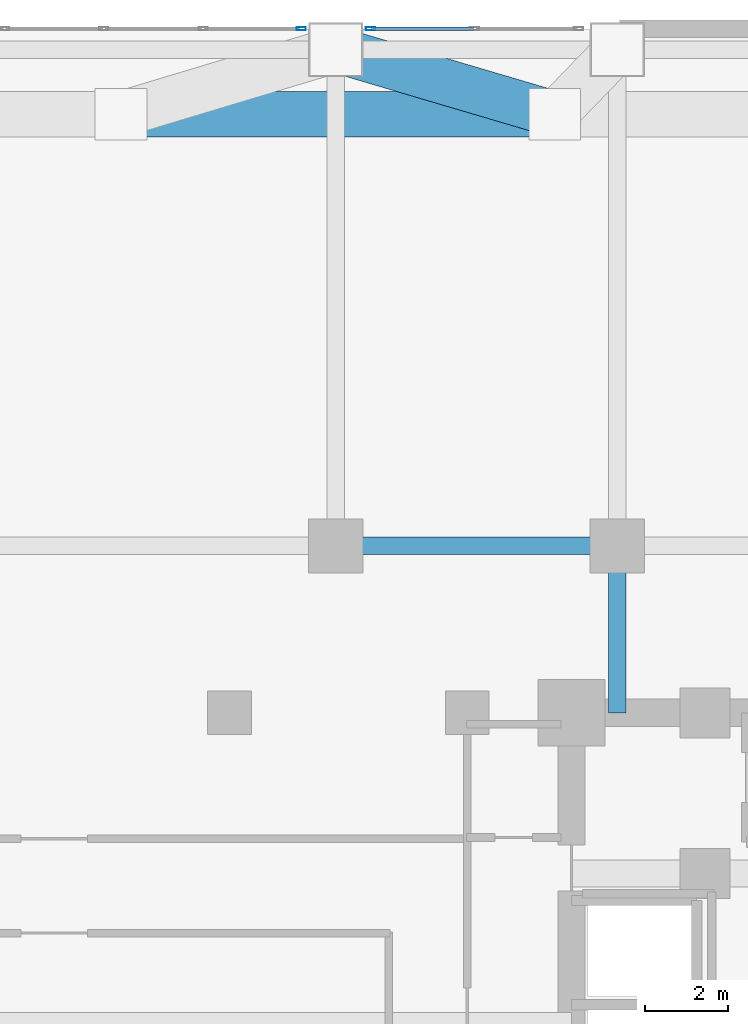
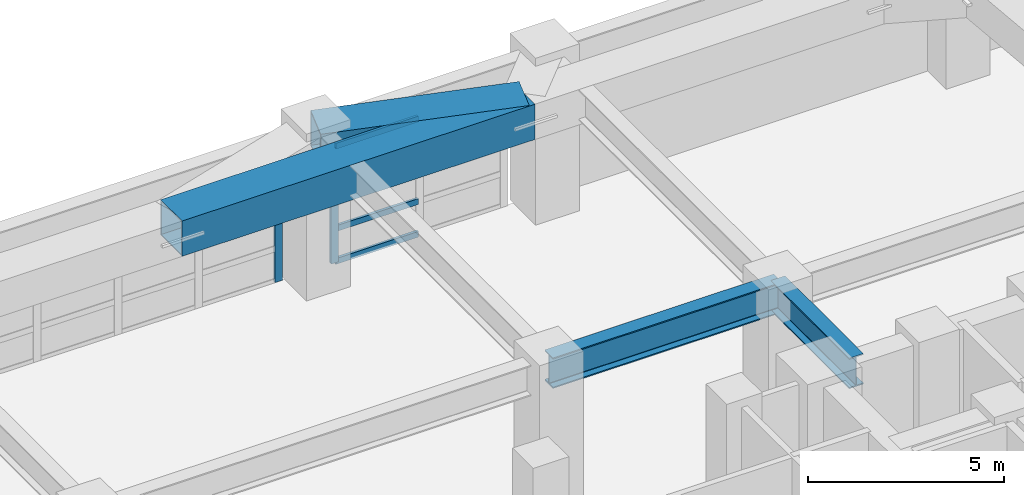
# One storey, part 11 of 20: 5 members, 4 beams, 2 elements without a shape of their own.
"""IFC4 building model written with IfcOpenShell, lengths in metres."""

from ifc_helpers import new_model, si_unit, direction, frame, origin, origin_2d, place, context, subcontext, project, spatial, hollow_rectangle, i_section, extrude, material, layer, layer_set, material_profile, profile_set, type_object, element, aggregate, save


model = new_model("IFC4")

# Units and contexts
model_context = context("Model", 3, precision=1e-05, world=origin(), true_north=direction((0.0, 1.0)))
body_context = subcontext(model_context, "Body", "Model", "MODEL_VIEW")
ifc_project = project(units=[si_unit("LENGTHUNIT", "METRE"), si_unit("AREAUNIT", "SQUARE_METRE"), si_unit("VOLUMEUNIT", "CUBIC_METRE"), si_unit("PLANEANGLEUNIT", "RADIAN"), si_unit("MASSUNIT", "GRAM", prefix="KILO")], contexts=[model_context])

# Site, building, storey
site_placement = place(None, origin())
site = spatial("IfcSite", under=ifc_project, at=site_placement, CompositionType="ELEMENT")
building_placement = place(site_placement, origin())
building = spatial("IfcBuilding", under=site, at=building_placement, Name="Voryun Gate Residences", CompositionType="ELEMENT")
storey_placement = place(building_placement, frame((0.0, 0.0, 20.800048828125)))
storey = spatial("IfcBuildingStorey", under=building, at=storey_placement, Name="L04", CompositionType="ELEMENT", Elevation=20.800048828125)

# Beams
ifc_material_1 = material(Name="Steel SM420", Category="steel")
ifc_material_profile_1 = material_profile(ifc_material_1, hollow_rectangle(XDim=1.10009765625, YDim=1.10009765625, WallThickness=0.035888671875, at=origin_2d()), Name="BOX-1100x1100x36")
ifc_profile_set_1 = profile_set([ifc_material_profile_1], Name="Steel SM420")
beam_type_1 = type_object("IfcBeamType", Name="BM_ARCH_RIB", PredefinedType="USERDEFINED", material=ifc_profile_set_1)
beam_1_placement = place(storey_placement, frame((12.0, 21.75, 4.39990234375), z_axis=(-1.0, 0.0, 0.0), x_axis=(0.0, -1.0, 0.0)))
element("IfcBeam", 1, at=beam_1_placement, inside=storey, type_object=beam_type_1, Name="BM-L04-B1RING-12", ObjectType="GIRDER", PredefinedType="USERDEFINED", context=body_context, shape_type="SweptSolid", body=[
    extrude(hollow_rectangle(XDim=1.10009765625, YDim=1.10009765625, WallThickness=0.035888671875, at=origin_2d()), origin(), (0.0, 0.0, 1.0), 10.39990234375),
])
beam_2_placement = place(storey_placement, frame((6.75, 23.300048828125, 4.39990234375), z_axis=(0.959071676402, -0.283163414875, 0.0), x_axis=(0.283163414875, 0.959071676402, 0.0)))
element("IfcBeam", 2, at=beam_2_placement, inside=storey, type_object=beam_type_1, Name="BM-L04-B1RAD2-N2", ObjectType="GIRDER", PredefinedType="USERDEFINED", context=body_context, shape_type="SweptSolid", body=[
    extrude(hollow_rectangle(XDim=1.10009765625, YDim=1.10009765625, WallThickness=0.035888671875, at=origin_2d()), origin(), (0.0, 0.0, 1.0), 5.47412109375),
])
ifc_material_2 = material(Name="Steel SM420", Category="steel")
ifc_material_profile_2 = material_profile(ifc_material_2, i_section(OverallWidth=0.419921875, OverallDepth=0.949951171875, WebThickness=0.02001953125, FlangeThickness=0.035888671875, FilletRadius=0.01806640625, at=origin_2d()), Name="H-950x420x20x36")
ifc_profile_set_2 = profile_set([ifc_material_profile_2], Name="Steel SM420")
beam_type_2 = type_object("IfcBeamType", Name="BM_XFER_950", PredefinedType="USERDEFINED", material=ifc_profile_set_2)
beam_3_placement = place(storey_placement, frame((6.75, 11.39990234375, 4.474853515625), z_axis=(1.0, 0.0, 0.0), x_axis=(0.0, 1.0, 0.0)))
element("IfcBeam", 3, at=beam_3_placement, inside=storey, type_object=beam_type_2, Name="BM-L04-GX-+11.4-4", ObjectType="GIRDER", PredefinedType="USERDEFINED", context=body_context, shape_type="SweptSolid", body=[
    extrude(i_section(OverallWidth=0.419921875, OverallDepth=0.949951171875, WebThickness=0.02001953125, FlangeThickness=0.035888671875, FilletRadius=0.01806640625, at=origin_2d()), origin(), (0.0, 0.0, 1.0), 6.75),
])
beam_4_placement = place(storey_placement, frame((13.5, 7.39990234375, 4.474853515625), z_axis=(0.0, 1.0, 0.0), x_axis=(-1.0, 0.0, 0.0)))
element("IfcBeam", 4, at=beam_4_placement, inside=storey, type_object=beam_type_2, Name="BM-L04-GYA-+13.5-+7.4", ObjectType="GIRDER", PredefinedType="USERDEFINED", context=body_context, shape_type="SweptSolid", body=[
    extrude(i_section(OverallWidth=0.419921875, OverallDepth=0.949951171875, WebThickness=0.02001953125, FlangeThickness=0.035888671875, FilletRadius=0.01806640625, at=origin_2d()), origin(), (0.0, 0.0, 1.0), 4.0),
])

# Curtain wall, member
ifc_material_3 = material(Name="Anodised aluminium", Category="aluminium")
ifc_layer = layer(ifc_material_3, 0.219970703125, Name="CW_SYS_POD_DARK_GLASS")
ifc_layer_set = layer_set([ifc_layer], Name="Anodised aluminium")
curtain_wall_type = type_object("IfcCurtainWallType", Name="CW_SYS_POD_DARK_GLASS", PredefinedType="NOTDEFINED", material=ifc_layer_set)
curtain_wall_1_placement = place(storey_placement, origin())
curtain_wall_1 = element("IfcCurtainWall", 5, at=curtain_wall_1_placement, inside=storey, type_object=curtain_wall_type, Name="Curtain wall CW1-L04-BRG-3-C", PredefinedType="NOTDEFINED")
ifc_material_4 = material(Name="Anodised aluminium", Category="aluminium")
ifc_material_profile_3 = material_profile(ifc_material_4, hollow_rectangle(XDim=0.080078125, YDim=0.219970703125, WallThickness=0.0048828125, at=origin_2d()), Name="ALU-MULL-220x80x5")
ifc_profile_set_3 = profile_set([ifc_material_profile_3], Name="Anodised aluminium")
member_type_1 = type_object("IfcMemberType", Name="CW_MULL_POD", PredefinedType="MULLION", material=ifc_profile_set_3)
member_1_placement = place(storey_placement, frame((5.919921875, 23.800048828125, 0.0), z_axis=(0.0, 0.0, 1.0), x_axis=(0.0, 1.0, 0.0)))
member_1 = element("IfcMember", 6, at=member_1_placement, type_object=member_type_1, Name="CW1 mullion 6", PredefinedType="MULLION", context=body_context, shape_type="SweptSolid", body=[
    extrude(hollow_rectangle(XDim=0.080078125, YDim=0.219970703125, WallThickness=0.0048828125, at=origin_2d()), origin(), (0.0, 0.0, 1.0), 3.64990234375),
])
aggregate(curtain_wall_1, [member_1])

# Curtain wall, members
curtain_wall_2_placement = place(storey_placement, origin())
curtain_wall_2 = element("IfcCurtainWall", 7, at=curtain_wall_2_placement, inside=storey, type_object=curtain_wall_type, Name="Curtain wall CW1-L04-BRG-3-E", PredefinedType="NOTDEFINED")
member_2_placement = place(storey_placement, frame((7.580078125, 23.800048828125, 0.0), z_axis=(0.0, 0.0, 1.0), x_axis=(0.0, 1.0, 0.0)))
member_2 = element("IfcMember", 8, at=member_2_placement, type_object=member_type_1, Name="CW1 mullion 1", PredefinedType="MULLION", context=body_context, shape_type="SweptSolid", body=[
    extrude(hollow_rectangle(XDim=0.080078125, YDim=0.219970703125, WallThickness=0.0048828125, at=origin_2d()), origin(), (0.0, 0.0, 1.0), 3.64990234375),
])
ifc_material_5 = material(Name="Anodised aluminium", Category="aluminium")
ifc_material_profile_4 = material_profile(ifc_material_5, hollow_rectangle(XDim=0.080078125, YDim=0.179931640625, WallThickness=0.0048828125, at=origin_2d()), Name="ALU-TRAN-180x80x5")
ifc_profile_set_4 = profile_set([ifc_material_profile_4], Name="Anodised aluminium")
member_type_2 = type_object("IfcMemberType", Name="CW_TRAN_POD", PredefinedType="USERDEFINED", material=ifc_profile_set_4)
member_3_placement = place(storey_placement, frame((7.610107421875, 23.800048828125, 0.030029296875), z_axis=(1.0, 0.0, 0.0), x_axis=(0.0, 1.0, 0.0)))
member_3 = element("IfcMember", 9, at=member_3_placement, type_object=member_type_2, Name="CW1 transom 1.1", ObjectType="TRANSOM", PredefinedType="USERDEFINED", context=body_context, shape_type="SweptSolid", body=[
    extrude(hollow_rectangle(XDim=0.080078125, YDim=0.179931640625, WallThickness=0.0048828125, at=origin_2d()), origin(), (0.0, 0.0, 1.0), 2.434814453125),
])
member_4_placement = place(storey_placement, frame((7.610107421875, 23.800048828125, 1.050048828125), z_axis=(1.0, 0.0, 0.0), x_axis=(0.0, 1.0, 0.0)))
member_4 = element("IfcMember", 10, at=member_4_placement, type_object=member_type_2, Name="CW1 transom 1.2", ObjectType="TRANSOM", PredefinedType="USERDEFINED", context=body_context, shape_type="SweptSolid", body=[
    extrude(hollow_rectangle(XDim=0.080078125, YDim=0.179931640625, WallThickness=0.0048828125, at=origin_2d()), origin(), (0.0, 0.0, 1.0), 2.434814453125),
])
member_5_placement = place(storey_placement, frame((7.610107421875, 23.800048828125, 3.619873046875), z_axis=(1.0, 0.0, 0.0), x_axis=(0.0, 1.0, 0.0)))
member_5 = element("IfcMember", 11, at=member_5_placement, type_object=member_type_2, Name="CW1 transom 1.3", ObjectType="TRANSOM", PredefinedType="USERDEFINED", context=body_context, shape_type="SweptSolid", body=[
    extrude(hollow_rectangle(XDim=0.080078125, YDim=0.179931640625, WallThickness=0.0048828125, at=origin_2d()), origin(), (0.0, 0.0, 1.0), 2.434814453125),
])
aggregate(curtain_wall_2, [member_2, member_3, member_4, member_5])

save(model, "model.ifc")
